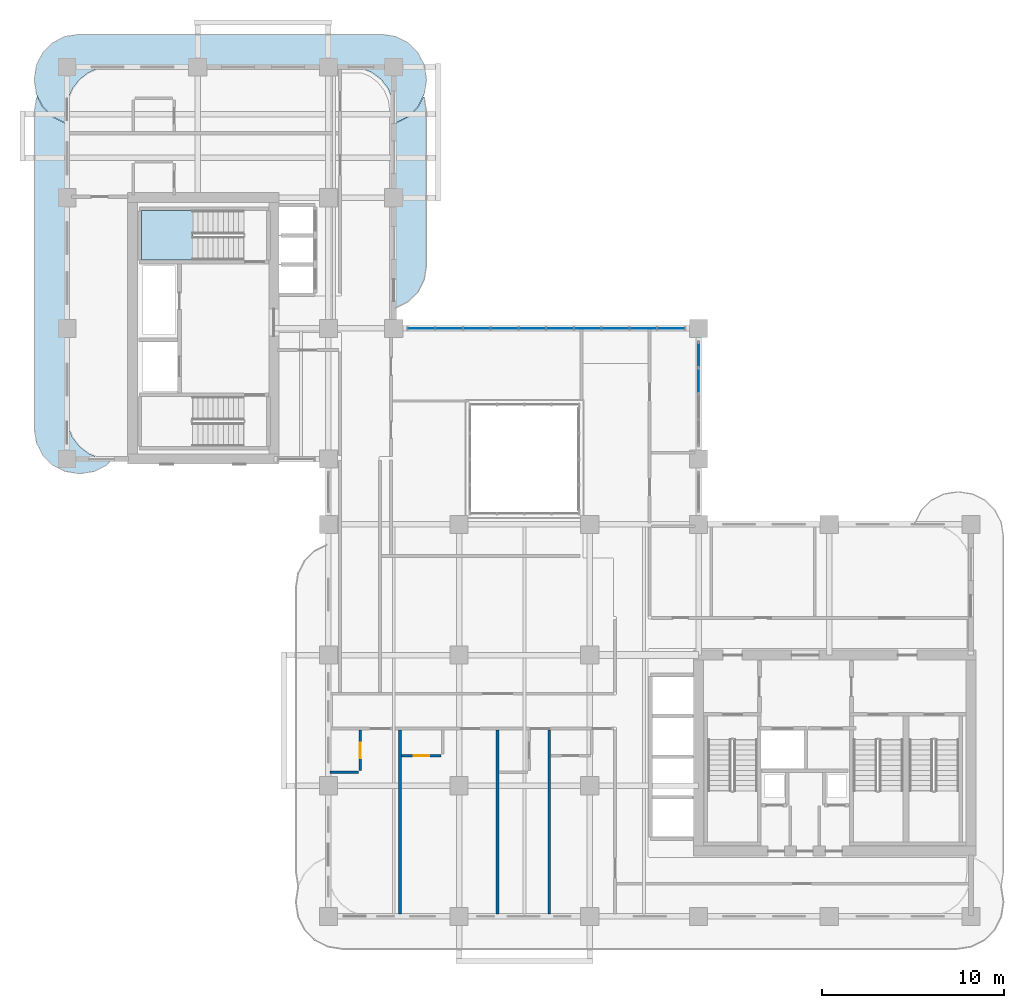
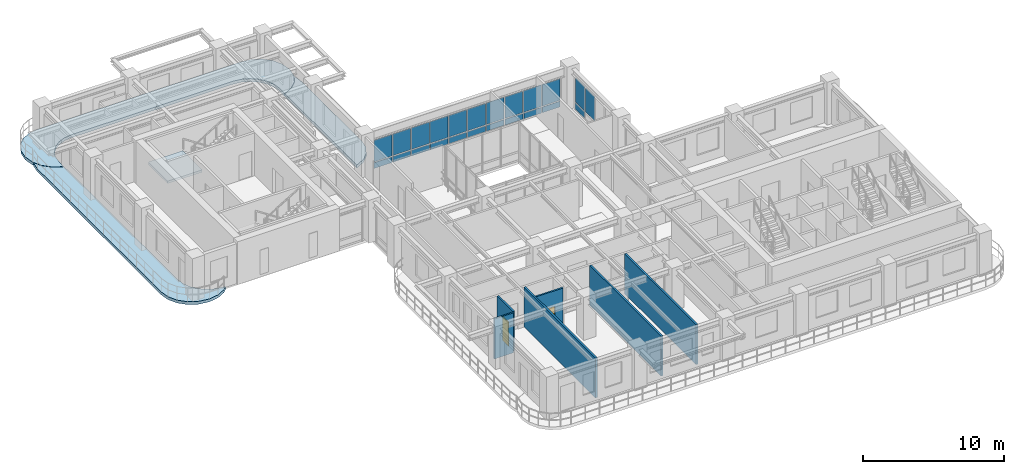
# One storey, part 10 of 20: 23 plates, 6 walls, 4 slabs, 2 doors, 2 openings, 3 elements without a shape of their own.
"""IFC4 building model written with IfcOpenShell, lengths in metres."""

from ifc_helpers import new_model, si_unit, derived_unit, direction, frame, frame_2d, origin, origin_2d, place, context, subcontext, project, spatial, polyline, rectangle, outline, extrude, source, transform, mapped, material, layer, layer_set, type_object, type_shapes, element, fill, aggregate, save


model = new_model("IFC4")

# Units and contexts
model_context = context("Model", 3, precision=1e-05, world=origin(), true_north=direction((0.0, 1.0)))
body_context = subcontext(model_context, "Body", "Model", "MODEL_VIEW")
ifc_project = project(units=[si_unit("LENGTHUNIT", "METRE"), si_unit("AREAUNIT", "SQUARE_METRE"), si_unit("VOLUMEUNIT", "CUBIC_METRE"), si_unit("PLANEANGLEUNIT", "RADIAN"), si_unit("MASSUNIT", "GRAM", prefix="KILO"), si_unit("THERMODYNAMICTEMPERATUREUNIT", "KELVIN"), si_unit("POWERUNIT", "WATT"), derived_unit("THERMALTRANSMITTANCEUNIT", [(si_unit("POWERUNIT", "WATT"), 1), (si_unit("AREAUNIT", "SQUARE_METRE"), -1), (si_unit("THERMODYNAMICTEMPERATUREUNIT", "KELVIN"), -1)])], contexts=[model_context])

# Site, building, storey
site_placement = place(None, origin())
site = spatial("IfcSite", under=ifc_project, at=site_placement, CompositionType="ELEMENT")
building_placement = place(site_placement, origin())
building = spatial("IfcBuilding", under=site, at=building_placement, Name="Zahravan Archway Hotel and Residences", CompositionType="ELEMENT")
storey_placement = place(building_placement, frame((0.0, 0.0, 126.60009765625)))
storey = spatial("IfcBuildingStorey", under=building, at=storey_placement, Name="L31", CompositionType="ELEMENT", Elevation=126.60009765625)

# Slabs
ifc_material_1 = material(Name="Concrete C45/55", Category="concrete")
ifc_layer_1 = layer(ifc_material_1, 0.25, Name="Concrete C45/55", Category="concrete")
ifc_layer_set_1 = layer_set([ifc_layer_1], Name="Concrete C45/55")
slab_type_1 = type_object("IfcSlabType", Name="SLB-BALC-250", PredefinedType="FLOOR", material=ifc_layer_set_1)
slab_1_placement = place(storey_placement, frame((0.0, 0.0, -0.25)))
element("IfcSlab", 1, at=slab_1_placement, inside=storey, type_object=slab_type_1, Name="L31 Wing B North Rounded Balcony Band", PredefinedType="FLOOR", context=body_context, shape_type="SweptSolid", body=[
    extrude(outline(polyline([(-0.107177734375, 43.719970703125), (-0.7900390625, 44.06787109375), (-1.33203125, 44.60986328125), (-1.68017578125, 45.29296875), (-1.800048828125, 46.050048828125), (-1.800048828125, 46.14990234375), (-1.68017578125, 46.906982421875), (-1.33203125, 47.590087890625), (-0.7900390625, 48.132080078125), (-0.107177734375, 48.47998046875), (0.64990234375, 48.60009765625), (17.35009765625, 48.60009765625), (18.107177734375, 48.47998046875), (18.7900390625, 48.132080078125), (19.33203125, 47.590087890625), (19.68017578125, 46.906982421875), (19.800048828125, 46.14990234375), (19.800048828125, 46.050048828125), (19.68017578125, 45.29296875), (19.33203125, 44.60986328125), (18.7900390625, 44.06787109375), (18.107177734375, 43.719970703125), (18.02001953125, 43.7060546875), (18.02001953125, 44.39990234375), (18.019775390625, 44.402587890625), (17.93798828125, 45.023681640625), (17.937744140625, 45.025390625), (17.937255859375, 45.027099609375), (17.936767578125, 45.02880859375), (17.697021484375, 45.607666015625), (17.6962890625, 45.609130859375), (17.6953125, 45.610595703125), (17.6943359375, 45.6123046875), (17.31298828125, 46.109375), (17.311767578125, 46.110595703125), (17.310546875, 46.11181640625), (17.309326171875, 46.113037109375), (16.812255859375, 46.494384765625), (16.810791015625, 46.495361328125), (16.80908203125, 46.49609375), (16.8076171875, 46.4970703125), (16.22900390625, 46.73681640625), (16.227294921875, 46.7373046875), (16.2255859375, 46.73779296875), (16.223876953125, 46.738037109375), (15.6025390625, 46.81982421875), (15.60009765625, 46.820068359375), (2.39990234375, 46.820068359375), (2.3974609375, 46.81982421875), (1.776123046875, 46.738037109375), (1.7744140625, 46.73779296875), (1.772705078125, 46.7373046875), (1.77099609375, 46.73681640625), (1.1923828125, 46.4970703125), (1.19091796875, 46.49609375), (1.189208984375, 46.495361328125), (1.187744140625, 46.494384765625), (0.690673828125, 46.113037109375), (0.689453125, 46.11181640625), (0.688232421875, 46.110595703125), (0.68701171875, 46.109375), (0.3056640625, 45.6123046875), (0.3046875, 45.610595703125), (0.3037109375, 45.609130859375), (0.302978515625, 45.607666015625), (0.063232421875, 45.02880859375), (0.062744140625, 45.027099609375), (0.062255859375, 45.025390625), (0.06201171875, 45.023681640625), (-0.019775390625, 44.402587890625), (-0.02001953125, 44.39990234375), (-0.02001953125, 43.7060546875), (-0.107177734375, 43.719970703125)])), origin(), (0.0, 0.0, 1.0), 0.25),
])
slab_2_placement = place(storey_placement, frame((0.0, 0.0, -0.25)))
element("IfcSlab", 2, at=slab_2_placement, inside=storey, type_object=slab_type_1, Name="L31 Wing B West Rounded Balcony Band", PredefinedType="FLOOR", context=body_context, shape_type="SweptSolid", body=[
    extrude(outline(polyline([(2.190185546875, 24.867919921875), (1.507080078125, 24.52001953125), (0.75, 24.39990234375), (0.64990234375, 24.39990234375), (-0.107177734375, 24.52001953125), (-0.7900390625, 24.867919921875), (-1.33203125, 25.409912109375), (-1.68017578125, 26.093017578125), (-1.800048828125, 26.85009765625), (-1.800048828125, 44.35009765625), (-1.68017578125, 45.107177734375), (-1.64404296875, 45.177978515625), (-1.349853515625, 44.600830078125), (-1.348876953125, 44.59912109375), (-1.34765625, 44.597412109375), (-1.34619140625, 44.595703125), (-0.80419921875, 44.0537109375), (-0.802734375, 44.052490234375), (-0.801025390625, 44.051025390625), (-0.79931640625, 44.050048828125), (-0.1162109375, 43.7021484375), (-0.1142578125, 43.701171875), (-0.1123046875, 43.70068359375), (-0.110107421875, 43.7001953125), (-0.023193359375, 43.686279296875), (-0.021240234375, 43.68603515625), (-0.02001953125, 43.68603515625), (-0.02001953125, 27.60009765625), (-0.019775390625, 27.597412109375), (0.06201171875, 26.976318359375), (0.062255859375, 26.974609375), (0.062744140625, 26.972900390625), (0.063232421875, 26.97119140625), (0.302978515625, 26.392333984375), (0.3037109375, 26.390869140625), (0.3046875, 26.389404296875), (0.3056640625, 26.3876953125), (0.68701171875, 25.890625), (0.688232421875, 25.889404296875), (0.689453125, 25.88818359375), (0.690673828125, 25.886962890625), (1.187744140625, 25.505615234375), (1.189208984375, 25.504638671875), (1.19091796875, 25.50390625), (1.1923828125, 25.5029296875), (1.77099609375, 25.26318359375), (1.772705078125, 25.2626953125), (1.7744140625, 25.26220703125), (1.776123046875, 25.261962890625), (2.3974609375, 25.18017578125), (2.39990234375, 25.179931640625), (2.502197265625, 25.179931640625), (2.190185546875, 24.867919921875)])), origin(), (0.0, 0.0, 1.0), 0.25),
])
slab_3_placement = place(storey_placement, frame((0.0, 0.0, -0.25)))
element("IfcSlab", 3, at=slab_3_placement, inside=storey, type_object=slab_type_1, Name="L31 Wing B East Rounded Balcony Band", PredefinedType="FLOOR", context=body_context, shape_type="SweptSolid", body=[
    extrude(outline(polyline([(19.68017578125, 45.107177734375), (19.800048828125, 44.35009765625), (19.800048828125, 35.85009765625), (19.68017578125, 35.093017578125), (19.33203125, 34.409912109375), (18.7900390625, 33.867919921875), (18.107177734375, 33.52001953125), (18.02001953125, 33.506103515625), (18.02001953125, 43.68603515625), (18.021240234375, 43.68603515625), (18.023193359375, 43.686279296875), (18.110107421875, 43.7001953125), (18.1123046875, 43.70068359375), (18.1142578125, 43.701171875), (18.1162109375, 43.7021484375), (18.79931640625, 44.050048828125), (18.801025390625, 44.051025390625), (18.802734375, 44.052490234375), (18.80419921875, 44.0537109375), (19.34619140625, 44.595703125), (19.34765625, 44.597412109375), (19.348876953125, 44.59912109375), (19.349853515625, 44.600830078125), (19.64404296875, 45.177978515625), (19.68017578125, 45.107177734375)])), origin(), (0.0, 0.0, 1.0), 0.25),
])

# Stair, slab
ifc_material_2 = material(Name="Concrete C50/60", Category="concrete")
stair_type = type_object("IfcStairType", Name="STR-CORE-1300", PredefinedType="HALF_TURN_STAIR", material=ifc_material_2)
stair_placement = place(storey_placement, origin())
stair = element("IfcStair", 4, at=stair_placement, inside=storey, type_object=stair_type, Name="L31 Core B Exit Stair 2", PredefinedType="HALF_TURN_STAIR")
ifc_layer_2 = layer(ifc_material_2, 0.199951171875, Name="Concrete C50/60", Category="concrete")
ifc_layer_set_2 = layer_set([ifc_layer_2], Name="Concrete C50/60")
slab_type_2 = type_object("IfcSlabType", Name="SLB-LND-200", PredefinedType="LANDING", material=ifc_layer_set_2)
slab_4_placement = place(storey_placement, frame((0.0, 0.0, 1.64990234375)))
slab_4 = element("IfcSlab", 5, at=slab_4_placement, type_object=slab_type_2, Name="ST-B2 landing 1", PredefinedType="LANDING", context=body_context, shape_type="SweptSolid", body=[
    extrude(outline(polyline([(6.929931640625, 38.89990234375), (4.10009765625, 38.89990234375), (4.10009765625, 36.159912109375), (6.929931640625, 36.159912109375), (6.929931640625, 38.89990234375)])), origin(), (0.0, 0.0, 1.0), 0.199951171875),
])
aggregate(stair, [slab_4])

# Curtain wall, plates
ifc_material_3 = material(Name="Bronze-Anodized Unitised Aluminium & Low-E Glass", Category="aluminium")
ifc_layer_3 = layer(ifc_material_3, 0.179931640625, Name="Bronze-Anodized Unitised Aluminium & Low-E Glass", Category="aluminium")
ifc_layer_set_3 = layer_set([ifc_layer_3], Name="Bronze-Anodized Unitised Aluminium & Low-E Glass")
curtain_wall_type = type_object("IfcCurtainWallType", Name="CW-ATR-GLAZ", PredefinedType="NOTDEFINED", material=ifc_layer_set_3)
curtain_wall_1_placement = place(storey_placement, origin())
curtain_wall_1 = element("IfcCurtainWall", 6, at=curtain_wall_1_placement, inside=storey, type_object=curtain_wall_type, Name="L31 Curtain Wall CW-L31-HNG-N-1", PredefinedType="NOTDEFINED")
ifc_material_4 = material(Name="Insulated Terracotta Spandrel Panel", Category="masonry")
ifc_layer_4 = layer(ifc_material_4, 0.0400390625, Name="Insulated Terracotta Spandrel Panel", Category="masonry")
ifc_layer_set_4 = layer_set([ifc_layer_4], Name="Insulated Terracotta Spandrel Panel")
plate_type_1 = type_object("IfcPlateType", Name="CWP-SPN-40", PredefinedType="SHEET", material=ifc_layer_set_4)
shared_shape_1 = source(origin(), body_context, "Body", "SweptSolid", [
    extrude(rectangle(XDim=1.447998046875, YDim=0.0400390625, at=origin_2d()), origin(), (0.0, 0.0, 1.0), 0.492431640625),
])
plate_1_placement = place(storey_placement, frame((19.52392578125, 32.39990234375, 0.10009765625), z_axis=(0.0, 0.0, 1.0), x_axis=(1.0, 0.0, 0.0)))
plate_1 = element("IfcPlate", 7, at=plate_1_placement, type_object=plate_type_1, Name="CW-L31-HNG-N-1 Spandrel Panel 0", PredefinedType="SHEET", context=body_context, shape_type="MappedRepresentation", body=[
    mapped(shared_shape_1, transform((0.0, 0.0, 0.0), scale=1.0)),
])
plate_2_placement = place(storey_placement, frame((21.052001953125, 32.39990234375, 0.10009765625), z_axis=(0.0, 0.0, 1.0), x_axis=(1.0, 0.0, 0.0)))
plate_2 = element("IfcPlate", 8, at=plate_2_placement, type_object=plate_type_1, Name="CW-L31-HNG-N-1 Spandrel Panel 1", PredefinedType="SHEET", context=body_context, shape_type="MappedRepresentation", body=[
    mapped(shared_shape_1, transform((0.0, 0.0, 0.0), scale=1.0)),
])
plate_3_placement = place(storey_placement, frame((22.580078125, 32.39990234375, 0.10009765625), z_axis=(0.0, 0.0, 1.0), x_axis=(1.0, 0.0, 0.0)))
plate_3 = element("IfcPlate", 9, at=plate_3_placement, type_object=plate_type_1, Name="CW-L31-HNG-N-1 Spandrel Panel 2", PredefinedType="SHEET", context=body_context, shape_type="MappedRepresentation", body=[
    mapped(shared_shape_1, transform((0.0, 0.0, 0.0), scale=1.0)),
])
plate_4_placement = place(storey_placement, frame((24.10791015625, 32.39990234375, 0.10009765625), z_axis=(0.0, 0.0, 1.0), x_axis=(1.0, 0.0, 0.0)))
plate_4 = element("IfcPlate", 10, at=plate_4_placement, type_object=plate_type_1, Name="CW-L31-HNG-N-1 Spandrel Panel 3", PredefinedType="SHEET", context=body_context, shape_type="MappedRepresentation", body=[
    mapped(shared_shape_1, transform((0.0, 0.0, 0.0), scale=1.0)),
])
plate_5_placement = place(storey_placement, frame((25.635986328125, 32.39990234375, 0.10009765625), z_axis=(0.0, 0.0, 1.0), x_axis=(1.0, 0.0, 0.0)))
plate_5 = element("IfcPlate", 11, at=plate_5_placement, type_object=plate_type_1, Name="CW-L31-HNG-N-1 Spandrel Panel 4", PredefinedType="SHEET", context=body_context, shape_type="MappedRepresentation", body=[
    mapped(shared_shape_1, transform((0.0, 0.0, 0.0), scale=1.0)),
])
plate_6_placement = place(storey_placement, frame((27.1640625, 32.39990234375, 0.10009765625), z_axis=(0.0, 0.0, 1.0), x_axis=(1.0, 0.0, 0.0)))
plate_6 = element("IfcPlate", 12, at=plate_6_placement, type_object=plate_type_1, Name="CW-L31-HNG-N-1 Spandrel Panel 5", PredefinedType="SHEET", context=body_context, shape_type="MappedRepresentation", body=[
    mapped(shared_shape_1, transform((0.0, 0.0, 0.0), scale=1.0)),
])
plate_7_placement = place(storey_placement, frame((28.69189453125, 32.39990234375, 0.10009765625), z_axis=(0.0, 0.0, 1.0), x_axis=(1.0, 0.0, 0.0)))
plate_7 = element("IfcPlate", 13, at=plate_7_placement, type_object=plate_type_1, Name="CW-L31-HNG-N-1 Spandrel Panel 6", PredefinedType="SHEET", context=body_context, shape_type="MappedRepresentation", body=[
    mapped(shared_shape_1, transform((0.0, 0.0, 0.0), scale=1.0)),
])
plate_8_placement = place(storey_placement, frame((30.219970703125, 32.39990234375, 0.10009765625), z_axis=(0.0, 0.0, 1.0), x_axis=(1.0, 0.0, 0.0)))
plate_8 = element("IfcPlate", 14, at=plate_8_placement, type_object=plate_type_1, Name="CW-L31-HNG-N-1 Spandrel Panel 7", PredefinedType="SHEET", context=body_context, shape_type="MappedRepresentation", body=[
    mapped(shared_shape_1, transform((0.0, 0.0, 0.0), scale=1.0)),
])
plate_9_placement = place(storey_placement, frame((31.748046875, 32.39990234375, 0.10009765625), z_axis=(0.0, 0.0, 1.0), x_axis=(1.0, 0.0, 0.0)))
plate_9 = element("IfcPlate", 15, at=plate_9_placement, type_object=plate_type_1, Name="CW-L31-HNG-N-1 Spandrel Panel 8", PredefinedType="SHEET", context=body_context, shape_type="MappedRepresentation", body=[
    mapped(shared_shape_1, transform((0.0, 0.0, 0.0), scale=1.0)),
])
plate_10_placement = place(storey_placement, frame((33.27587890625, 32.39990234375, 0.10009765625), z_axis=(0.0, 0.0, 1.0), x_axis=(1.0, 0.0, 0.0)))
plate_10 = element("IfcPlate", 16, at=plate_10_placement, type_object=plate_type_1, Name="CW-L31-HNG-N-1 Spandrel Panel 9", PredefinedType="SHEET", context=body_context, shape_type="MappedRepresentation", body=[
    mapped(shared_shape_1, transform((0.0, 0.0, 0.0), scale=1.0)),
])
ifc_material_5 = material(Name="Double-Silver Low-E Insulated Vision Glass", Category="glass")
ifc_layer_5 = layer(ifc_material_5, 0.028076171875, Name="Double-Silver Low-E Insulated Vision Glass", Category="glass")
ifc_layer_set_5 = layer_set([ifc_layer_5], Name="Double-Silver Low-E Insulated Vision Glass")
plate_type_2 = type_object("IfcPlateType", Name="CWP-GLZ-28", PredefinedType="CURTAIN_PANEL", material=ifc_layer_set_5)
shared_shape_2 = source(origin(), body_context, "Body", "SweptSolid", [
    extrude(rectangle(XDim=1.447998046875, YDim=0.028076171875, at=origin_2d()), origin(), (0.0, 0.0, 1.0), 1.862548828125),
])
plate_11_placement = place(storey_placement, frame((19.52392578125, 32.39990234375, 0.67236328125), z_axis=(0.0, 0.0, 1.0), x_axis=(1.0, 0.0, 0.0)))
plate_11 = element("IfcPlate", 17, at=plate_11_placement, type_object=plate_type_2, Name="CW-L31-HNG-N-1 Low-E Vision Panel 0", PredefinedType="CURTAIN_PANEL", context=body_context, shape_type="MappedRepresentation", body=[
    mapped(shared_shape_2, transform((0.0, 0.0, 0.0), scale=1.0)),
])
plate_12_placement = place(storey_placement, frame((21.052001953125, 32.39990234375, 0.67236328125), z_axis=(0.0, 0.0, 1.0), x_axis=(1.0, 0.0, 0.0)))
plate_12 = element("IfcPlate", 18, at=plate_12_placement, type_object=plate_type_2, Name="CW-L31-HNG-N-1 Low-E Vision Panel 1", PredefinedType="CURTAIN_PANEL", context=body_context, shape_type="MappedRepresentation", body=[
    mapped(shared_shape_2, transform((0.0, 0.0, 0.0), scale=1.0)),
])
plate_13_placement = place(storey_placement, frame((22.580078125, 32.39990234375, 0.67236328125), z_axis=(0.0, 0.0, 1.0), x_axis=(1.0, 0.0, 0.0)))
plate_13 = element("IfcPlate", 19, at=plate_13_placement, type_object=plate_type_2, Name="CW-L31-HNG-N-1 Low-E Vision Panel 2", PredefinedType="CURTAIN_PANEL", context=body_context, shape_type="MappedRepresentation", body=[
    mapped(shared_shape_2, transform((0.0, 0.0, 0.0), scale=1.0)),
])
plate_14_placement = place(storey_placement, frame((24.10791015625, 32.39990234375, 0.67236328125), z_axis=(0.0, 0.0, 1.0), x_axis=(1.0, 0.0, 0.0)))
plate_14 = element("IfcPlate", 20, at=plate_14_placement, type_object=plate_type_2, Name="CW-L31-HNG-N-1 Low-E Vision Panel 3", PredefinedType="CURTAIN_PANEL", context=body_context, shape_type="MappedRepresentation", body=[
    mapped(shared_shape_2, transform((0.0, 0.0, 0.0), scale=1.0)),
])
plate_15_placement = place(storey_placement, frame((25.635986328125, 32.39990234375, 0.67236328125), z_axis=(0.0, 0.0, 1.0), x_axis=(1.0, 0.0, 0.0)))
plate_15 = element("IfcPlate", 21, at=plate_15_placement, type_object=plate_type_2, Name="CW-L31-HNG-N-1 Low-E Vision Panel 4", PredefinedType="CURTAIN_PANEL", context=body_context, shape_type="MappedRepresentation", body=[
    mapped(shared_shape_2, transform((0.0, 0.0, 0.0), scale=1.0)),
])
plate_16_placement = place(storey_placement, frame((27.1640625, 32.39990234375, 0.67236328125), z_axis=(0.0, 0.0, 1.0), x_axis=(1.0, 0.0, 0.0)))
plate_16 = element("IfcPlate", 22, at=plate_16_placement, type_object=plate_type_2, Name="CW-L31-HNG-N-1 Low-E Vision Panel 5", PredefinedType="CURTAIN_PANEL", context=body_context, shape_type="MappedRepresentation", body=[
    mapped(shared_shape_2, transform((0.0, 0.0, 0.0), scale=1.0)),
])
plate_17_placement = place(storey_placement, frame((28.69189453125, 32.39990234375, 0.67236328125), z_axis=(0.0, 0.0, 1.0), x_axis=(1.0, 0.0, 0.0)))
plate_17 = element("IfcPlate", 23, at=plate_17_placement, type_object=plate_type_2, Name="CW-L31-HNG-N-1 Low-E Vision Panel 6", PredefinedType="CURTAIN_PANEL", context=body_context, shape_type="MappedRepresentation", body=[
    mapped(shared_shape_2, transform((0.0, 0.0, 0.0), scale=1.0)),
])
plate_18_placement = place(storey_placement, frame((30.219970703125, 32.39990234375, 0.67236328125), z_axis=(0.0, 0.0, 1.0), x_axis=(1.0, 0.0, 0.0)))
plate_18 = element("IfcPlate", 24, at=plate_18_placement, type_object=plate_type_2, Name="CW-L31-HNG-N-1 Low-E Vision Panel 7", PredefinedType="CURTAIN_PANEL", context=body_context, shape_type="MappedRepresentation", body=[
    mapped(shared_shape_2, transform((0.0, 0.0, 0.0), scale=1.0)),
])
plate_19_placement = place(storey_placement, frame((31.748046875, 32.39990234375, 0.67236328125), z_axis=(0.0, 0.0, 1.0), x_axis=(1.0, 0.0, 0.0)))
plate_19 = element("IfcPlate", 25, at=plate_19_placement, type_object=plate_type_2, Name="CW-L31-HNG-N-1 Low-E Vision Panel 8", PredefinedType="CURTAIN_PANEL", context=body_context, shape_type="MappedRepresentation", body=[
    mapped(shared_shape_2, transform((0.0, 0.0, 0.0), scale=1.0)),
])
plate_20_placement = place(storey_placement, frame((33.27587890625, 32.39990234375, 0.67236328125), z_axis=(0.0, 0.0, 1.0), x_axis=(1.0, 0.0, 0.0)))
plate_20 = element("IfcPlate", 26, at=plate_20_placement, type_object=plate_type_2, Name="CW-L31-HNG-N-1 Low-E Vision Panel 9", PredefinedType="CURTAIN_PANEL", context=body_context, shape_type="MappedRepresentation", body=[
    mapped(shared_shape_2, transform((0.0, 0.0, 0.0), scale=1.0)),
])
aggregate(curtain_wall_1, [plate_1, plate_11, plate_2, plate_12, plate_3, plate_13, plate_4, plate_14, plate_5, plate_15, plate_6, plate_16, plate_7, plate_17, plate_8, plate_18, plate_9, plate_19, plate_10, plate_20])

curtain_wall_2_placement = place(storey_placement, origin())
curtain_wall_2 = element("IfcCurtainWall", 27, at=curtain_wall_2_placement, inside=storey, type_object=curtain_wall_type, Name="L31 Curtain Wall CW-L31-HNG-E-2", PredefinedType="NOTDEFINED")
shared_shape_3 = source(origin(), body_context, "Body", "SweptSolid", [
    extrude(rectangle(XDim=1.340087890625, YDim=0.0400390625, at=origin_2d()), origin(), (0.0, 0.0, 1.0), 0.564453125),
])
plate_21_placement = place(storey_placement, frame((34.800048828125, 30.929931640625, 0.099853515625), z_axis=(0.0, 0.0, 1.0), x_axis=(0.0, 1.0, 0.0)))
plate_21 = element("IfcPlate", 28, at=plate_21_placement, type_object=plate_type_1, Name="CW-L31-HNG-E-2 Spandrel Panel 3", PredefinedType="SHEET", context=body_context, shape_type="MappedRepresentation", body=[
    mapped(shared_shape_3, transform((0.0, 0.0, 0.0), scale=1.0)),
])
shared_shape_4 = source(origin(), body_context, "Body", "SweptSolid", [
    extrude(rectangle(XDim=1.340087890625, YDim=0.028076171875, at=origin_2d()), origin(), (0.0, 0.0, 1.0), 2.090576171875),
])
plate_22_placement = place(storey_placement, frame((34.800048828125, 29.510009765625, 0.744140625), z_axis=(0.0, 0.0, 1.0), x_axis=(0.0, 1.0, 0.0)))
plate_22 = element("IfcPlate", 29, at=plate_22_placement, type_object=plate_type_2, Name="CW-L31-HNG-E-2 Low-E Vision Panel 2", PredefinedType="CURTAIN_PANEL", context=body_context, shape_type="MappedRepresentation", body=[
    mapped(shared_shape_4, transform((0.0, 0.0, 0.0), scale=1.0)),
])
plate_23_placement = place(storey_placement, frame((34.800048828125, 30.929931640625, 0.744140625), z_axis=(0.0, 0.0, 1.0), x_axis=(0.0, 1.0, 0.0)))
plate_23 = element("IfcPlate", 30, at=plate_23_placement, type_object=plate_type_2, Name="CW-L31-HNG-E-2 Low-E Vision Panel 3", PredefinedType="CURTAIN_PANEL", context=body_context, shape_type="MappedRepresentation", body=[
    mapped(shared_shape_4, transform((0.0, 0.0, 0.0), scale=1.0)),
])
aggregate(curtain_wall_2, [plate_22, plate_21, plate_23])

# Walls
ifc_material_6 = material(Name="Acoustic Stud Partition")
ifc_layer_6 = layer(ifc_material_6, 0.14990234375, Name="Acoustic Stud Partition")
ifc_layer_set_6 = layer_set([ifc_layer_6], Name="Acoustic Stud Partition")
wall_type_1 = type_object("IfcWallType", Name="PW-UNIT-150", PredefinedType="PARTITIONING", material=ifc_layer_set_6)
for number, where, z_axis, x_axis, name in (
    (31, (18.35009765625, 0.14794921875, 0.0), (0.0, 0.0, 1.0), (0.0, 1.0, 0.0), "L31 Partition WAS-4-1"),
    (32, (23.719970703125, 0.14794921875, 0.0), (0.0, 0.0, 1.0), (0.0, 1.0, 0.0), "L31 Partition WAS-4-2"),
    (33, (26.570068359375, 0.14794921875, 0.0), (0.0, 0.0, 1.0), (0.0, 1.0, 0.0), "L31 Partition WAS-4-3"),
):
    element("IfcWall", number, at=place(storey_placement, frame(where, z_axis=z_axis, x_axis=x_axis)), inside=storey, type_object=wall_type_1, Name=name, PredefinedType="PARTITIONING", context=body_context, shape_type="SweptSolid", body=[
        extrude(rectangle(XDim=10.112060546875, YDim=0.14990234375, at=frame_2d((5.05615234375, 0.0))), origin(), (0.0, 0.0, 1.0), 3.449951171875),
    ])

# Wall, opening, door
ifc_material_7 = material(Name="Moisture-Resistant Blockwork", Category="masonry")
ifc_layer_7 = layer(ifc_material_7, 0.139892578125, Name="Moisture-Resistant Blockwork", Category="masonry")
ifc_layer_set_7 = layer_set([ifc_layer_7], Name="Moisture-Resistant Blockwork")
wall_type_2 = type_object("IfcWallType", Name="PW-WET-140", PredefinedType="PARTITIONING", material=ifc_layer_set_7)
wall_1_placement = place(storey_placement, frame((16.14990234375, 8.0400390625, 0.0), z_axis=(0.0, 0.0, 1.0), x_axis=(0.0, 1.0, 0.0)))
wall_1 = element("IfcWall", 34, at=wall_1_placement, inside=storey, type_object=wall_type_2, Name="L31 Partition HKB-V40", PredefinedType="PARTITIONING", context=body_context, shape_type="SweptSolid", body=[
    extrude(rectangle(XDim=2.219970703125, YDim=0.139892578125, at=frame_2d((1.10986328125, 0.0))), origin(), (0.0, 0.0, 1.0), 3.449951171875),
])
opening_1_placement = place(wall_1_placement, frame((0.68505859375, 0.0, 0.0)))
opening_1 = element("IfcOpeningElement", 35, at=opening_1_placement, cuts=wall_1, Name="Opening D-B1", PredefinedType="OPENING", context=body_context, shape_type="SweptSolid", body=[
    extrude(rectangle(XDim=0.85009765625, YDim=2.10009765625, at=frame_2d((0.425048828125, 1.050048828125))), frame((0.0, 0.080078125, 0.0), z_axis=(0.0, -1.0, 0.0), x_axis=(1.0, 0.0, 0.0)), (0.0, 0.0, 1.0), 0.159912109375),
])
ifc_material_8 = material(Name="Hardwood Veneer Timber", Category="wood")
door_type = type_object("IfcDoorType", Name="ID-BATH-850", OperationType="NOTDEFINED", PredefinedType="DOOR", material=ifc_material_8)
shared_shape_5 = source(origin(), body_context, "Body", "SweptSolid", [
    extrude(rectangle(XDim=0.85009765625, YDim=2.10009765625, at=frame_2d((0.425048828125, 1.050048828125))), frame((0.0, 0.02490234375, 0.0), z_axis=(0.0, -1.0, 0.0), x_axis=(1.0, 0.0, 0.0)), (0.0, 0.0, 1.0), 0.050048828125),
])
type_shapes(door_type, [shared_shape_5])
door_1_placement = place(opening_1_placement, origin())
door_1 = element("IfcDoor", 36, at=door_1_placement, inside=storey, type_object=door_type, Name="L31 Guestroom 40 En-Suite Door", OperationType="SINGLE_SWING_RIGHT", OverallHeight=2.10009765625, OverallWidth=0.85009765625, PredefinedType="DOOR", context=body_context, shape_type="MappedRepresentation", body=[
    mapped(shared_shape_5, transform((0.0, 0.0, 0.0), scale=1.0)),
])
fill(opening_1, door_1)

# Wall
wall_2_placement = place(storey_placement, frame((14.489990234375, 7.949951171875, 0.0), z_axis=(0.0, 0.0, 1.0), x_axis=(1.0, 0.0, 0.0)))
element("IfcWall", 37, at=wall_2_placement, inside=storey, type_object=wall_type_2, Name="L31 Partition HKB-H40", PredefinedType="PARTITIONING", context=body_context, shape_type="SweptSolid", body=[
    extrude(rectangle(XDim=1.570068359375, YDim=0.139892578125, at=frame_2d((0.78515625, 0.0))), origin(), (0.0, 0.0, 1.0), 3.449951171875),
])

# Wall, opening, door
wall_3_placement = place(storey_placement, frame((18.43994140625, 8.85009765625, 0.0), z_axis=(0.0, 0.0, 1.0), x_axis=(1.0, 0.0, 0.0)))
wall_3 = element("IfcWall", 38, at=wall_3_placement, inside=storey, type_object=wall_type_2, Name="L31 Partition HKB-H41", PredefinedType="PARTITIONING", context=body_context, shape_type="SweptSolid", body=[
    extrude(rectangle(XDim=2.170166015625, YDim=0.139892578125, at=frame_2d((1.0849609375, 0.0))), origin(), (0.0, 0.0, 1.0), 3.449951171875),
])
opening_2_placement = place(wall_3_placement, frame((0.659912109375, 0.0, 0.0)))
opening_2 = element("IfcOpeningElement", 39, at=opening_2_placement, cuts=wall_3, Name="Opening D-B1", PredefinedType="OPENING", context=body_context, shape_type="SweptSolid", body=[
    extrude(rectangle(XDim=0.85009765625, YDim=2.10009765625, at=frame_2d((0.425048828125, 1.050048828125))), frame((0.0, 0.080078125, 0.0), z_axis=(0.0, -1.0, 0.0), x_axis=(1.0, 0.0, 0.0)), (0.0, 0.0, 1.0), 0.159912109375),
])
door_2_placement = place(opening_2_placement, origin())
door_2 = element("IfcDoor", 40, at=door_2_placement, inside=storey, type_object=door_type, Name="L31 Guestroom 41 En-Suite Door", OperationType="SINGLE_SWING_RIGHT", OverallHeight=2.10009765625, OverallWidth=0.85009765625, PredefinedType="DOOR", context=body_context, shape_type="MappedRepresentation", body=[
    mapped(shared_shape_5, transform((0.0, 0.0, 0.0), scale=1.0)),
])
fill(opening_2, door_2)

save(model, "model.ifc")
